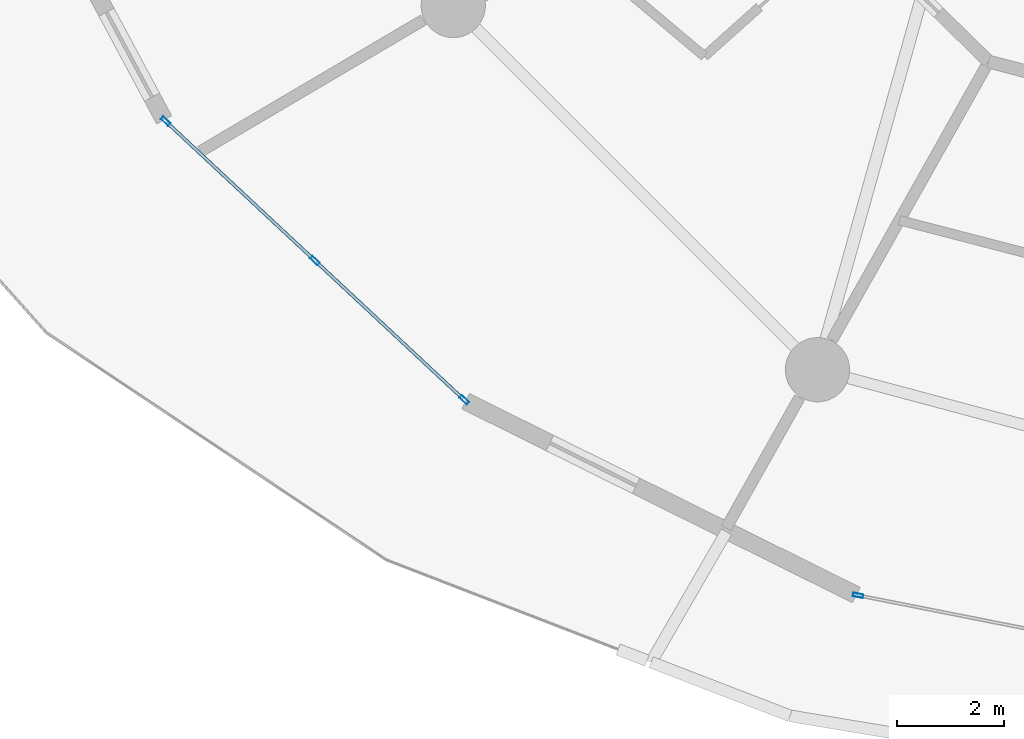
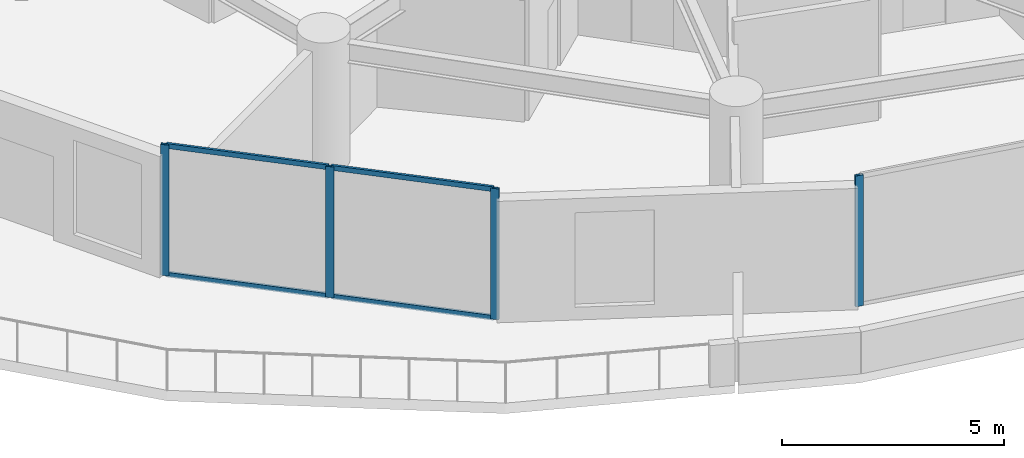
# One storey, part 2 of 25: 8 members, 2 elements without a shape of their own.
"""IFC4 building model written with IfcOpenShell, lengths in metres."""

from ifc_helpers import new_model, si_unit, direction, frame, origin, origin_2d, place, context, subcontext, project, spatial, hollow_rectangle, extrude, source, transform, mapped, material, layer, layer_set, material_profile, profile_set, type_object, element, aggregate, save


model = new_model("IFC4")

# Units and contexts
model_context = context("Model", 3, precision=1e-05, world=origin(), true_north=direction((0.0, 1.0)))
body_context = subcontext(model_context, "Body", "Model", "MODEL_VIEW")
ifc_project = project(units=[si_unit("LENGTHUNIT", "METRE"), si_unit("AREAUNIT", "SQUARE_METRE"), si_unit("VOLUMEUNIT", "CUBIC_METRE"), si_unit("PLANEANGLEUNIT", "RADIAN"), si_unit("MASSUNIT", "GRAM", prefix="KILO")], contexts=[model_context])

# Site, building, storey
site_placement = place(None, origin())
site = spatial("IfcSite", under=ifc_project, at=site_placement, CompositionType="ELEMENT")
building_placement = place(site_placement, origin())
building = spatial("IfcBuilding", under=site, at=building_placement, Name="Solvirekh Grand Hotel", CompositionType="ELEMENT")
storey_placement = place(building_placement, frame((0.0, 0.0, 28.39990234375)))
storey = spatial("IfcBuildingStorey", under=building, at=storey_placement, Name="L05", CompositionType="ELEMENT", Elevation=28.39990234375)

# Curtain wall, members
ifc_material = material(Name="Anodized Bronze Aluminium 6063-T6", Category="aluminium")
ifc_layer = layer(ifc_material, 0.18994140625)
ifc_layer_set = layer_set([ifc_layer], Name="Anodized Bronze Aluminium 6063-T6")
curtain_wall_type = type_object("IfcCurtainWallType", Name="CW_Sys2_LowZoneFlushBronzeCW", PredefinedType="NOTDEFINED", material=ifc_layer_set)
curtain_wall_1_placement = place(storey_placement, origin())
curtain_wall_1 = element("IfcCurtainWall", 1, at=curtain_wall_1_placement, inside=storey, type_object=curtain_wall_type, Name="L05 unitised bronze-glass curtain wall CW-L05-C13", PredefinedType="NOTDEFINED")
ifc_material_profile_1 = material_profile(ifc_material, hollow_rectangle(XDim=0.070068359375, YDim=0.18994140625, WallThickness=0.0048828125, at=origin_2d()), Name="ALU RHS 190X70X5")
ifc_profile_set_1 = profile_set([ifc_material_profile_1], Name="Anodized Bronze Aluminium 6063-T6")
member_type_1 = type_object("IfcMemberType", Name="CWMullion_Sys2", PredefinedType="MULLION", material=ifc_profile_set_1)
shared_shape_1 = source(origin(), body_context, "Body", "SweptSolid", [
    extrude(hollow_rectangle(XDim=0.070068359375, YDim=0.18994140625, WallThickness=0.0048828125, at=origin_2d()), origin(), (0.0, 0.0, 1.0), 3.60009765625),
])
member_1_placement = place(storey_placement, frame((-21.484375, -11.462890625, 0.0), z_axis=(0.0, 0.0, 1.0), x_axis=(0.682285880223, 0.73108547903, 0.0)))
member_1 = element("IfcMember", 2, at=member_1_placement, type_object=member_type_1, Name="U02 mullion 1", PredefinedType="MULLION", context=body_context, shape_type="MappedRepresentation", body=[
    mapped(shared_shape_1, transform((0.0, 0.0, 0.0), x_axis=(1.0, 0.0, 0.0), y_axis=(0.0, 1.0, 0.0), z_axis=(0.0, 0.0, 1.0), scale=1.0)),
])
member_2_placement = place(storey_placement, frame((-18.693603515625, -14.0673828125, 0.0), z_axis=(0.0, 0.0, 1.0), x_axis=(0.682285880223, 0.73108547903, 0.0)))
member_2 = element("IfcMember", 3, at=member_2_placement, type_object=member_type_1, Name="U02 mullion 2", PredefinedType="MULLION", context=body_context, shape_type="MappedRepresentation", body=[
    mapped(shared_shape_1, transform((0.0, 0.0, 0.0), x_axis=(1.0, 0.0, 0.0), y_axis=(0.0, 1.0, 0.0), z_axis=(0.0, 0.0, 1.0), scale=1.0)),
])
member_3_placement = place(storey_placement, frame((-15.902587890625, -16.672119140625, 0.0), z_axis=(0.0, 0.0, 1.0), x_axis=(0.682285880223, 0.73108547903, 0.0)))
member_3 = element("IfcMember", 4, at=member_3_placement, type_object=member_type_1, Name="U02 mullion 3", PredefinedType="MULLION", context=body_context, shape_type="MappedRepresentation", body=[
    mapped(shared_shape_1, transform((0.0, 0.0, 0.0), x_axis=(1.0, 0.0, 0.0), y_axis=(0.0, 1.0, 0.0), z_axis=(0.0, 0.0, 1.0), scale=1.0)),
])

# Curtain wall, member
curtain_wall_2_placement = place(storey_placement, origin())
curtain_wall_2 = element("IfcCurtainWall", 5, at=curtain_wall_2_placement, inside=storey, type_object=curtain_wall_type, Name="L05 unitised bronze-glass curtain wall CW-L05-C15", PredefinedType="NOTDEFINED")
member_4_placement = place(storey_placement, frame((-8.541748046875, -20.32470703125, 0.0), z_axis=(0.0, 0.0, 1.0), x_axis=(0.194104185406, 0.9809809199, 0.0)))
member_4 = element("IfcMember", 6, at=member_4_placement, type_object=member_type_1, Name="U02 mullion 1", PredefinedType="MULLION", context=body_context, shape_type="MappedRepresentation", body=[
    mapped(shared_shape_1, transform((0.0, 0.0, 0.0), x_axis=(1.0, 0.0, 0.0), y_axis=(0.0, 1.0, 0.0), z_axis=(0.0, 0.0, 1.0), scale=1.0)),
])
aggregate(curtain_wall_2, [member_4])

# Member
ifc_material_profile_2 = material_profile(ifc_material, hollow_rectangle(XDim=0.06005859375, YDim=0.135009765625, WallThickness=0.00390625, at=origin_2d()), Name="ALU RHS 135X60X4")
ifc_profile_set_2 = profile_set([ifc_material_profile_2], Name="Anodized Bronze Aluminium 6063-T6")
member_type_2 = type_object("IfcMemberType", Name="CWTransom_Sys2", PredefinedType="USERDEFINED", material=ifc_profile_set_2)
shared_shape_2 = source(origin(), body_context, "Body", "SweptSolid", [
    extrude(hollow_rectangle(XDim=0.06005859375, YDim=0.135009765625, WallThickness=0.00390625, at=origin_2d()), origin(), (0.0, 0.0, 1.0), 3.74755859375),
])
member_5_placement = place(storey_placement, frame((-21.458740234375, -11.48681640625, 0.030029296875), z_axis=(0.731083431078, -0.682288074646, 0.0), x_axis=(0.682288074646, 0.731083431078, 0.0)))
member_5 = element("IfcMember", 7, at=member_5_placement, type_object=member_type_2, Name="U02 transom 1.1", ObjectType="TRANSOM", PredefinedType="USERDEFINED", context=body_context, shape_type="MappedRepresentation", body=[
    mapped(shared_shape_2, transform((0.0, 0.0, 0.0), x_axis=(1.0, 0.0, 0.0), y_axis=(0.0, 1.0, 0.0), z_axis=(0.0, 0.0, 1.0), scale=1.0)),
])

member_6_placement = place(storey_placement, frame((-21.458740234375, -11.48681640625, 3.570068359375), z_axis=(0.731083431078, -0.682288074646, 0.0), x_axis=(0.682288074646, 0.731083431078, 0.0)))
member_6 = element("IfcMember", 8, at=member_6_placement, type_object=member_type_2, Name="U02 transom 1.2", ObjectType="TRANSOM", PredefinedType="USERDEFINED", context=body_context, shape_type="MappedRepresentation", body=[
    mapped(shared_shape_2, transform((0.0, 0.0, 0.0), x_axis=(1.0, 0.0, 0.0), y_axis=(0.0, 1.0, 0.0), z_axis=(0.0, 0.0, 1.0), scale=1.0)),
])

member_7_placement = place(storey_placement, frame((-18.66796875, -14.09130859375, 0.030029296875), z_axis=(0.731083431078, -0.682288074646, 0.0), x_axis=(0.682288074646, 0.731083431078, 0.0)))
member_7 = element("IfcMember", 9, at=member_7_placement, type_object=member_type_2, Name="U02 transom 2.1", ObjectType="TRANSOM", PredefinedType="USERDEFINED", context=body_context, shape_type="MappedRepresentation", body=[
    mapped(shared_shape_2, transform((0.0, 0.0, 0.0), x_axis=(1.0, 0.0, 0.0), y_axis=(0.0, 1.0, 0.0), z_axis=(0.0, 0.0, 1.0), scale=1.0)),
])

member_8_placement = place(storey_placement, frame((-18.66796875, -14.09130859375, 3.570068359375), z_axis=(0.731083431078, -0.682288074646, 0.0), x_axis=(0.682288074646, 0.731083431078, 0.0)))
member_8 = element("IfcMember", 10, at=member_8_placement, type_object=member_type_2, Name="U02 transom 2.2", ObjectType="TRANSOM", PredefinedType="USERDEFINED", context=body_context, shape_type="MappedRepresentation", body=[
    mapped(shared_shape_2, transform((0.0, 0.0, 0.0), x_axis=(1.0, 0.0, 0.0), y_axis=(0.0, 1.0, 0.0), z_axis=(0.0, 0.0, 1.0), scale=1.0)),
])

aggregate(curtain_wall_1, [member_1, member_2, member_3, member_5, member_6, member_7, member_8])

save(model, "model.ifc")
